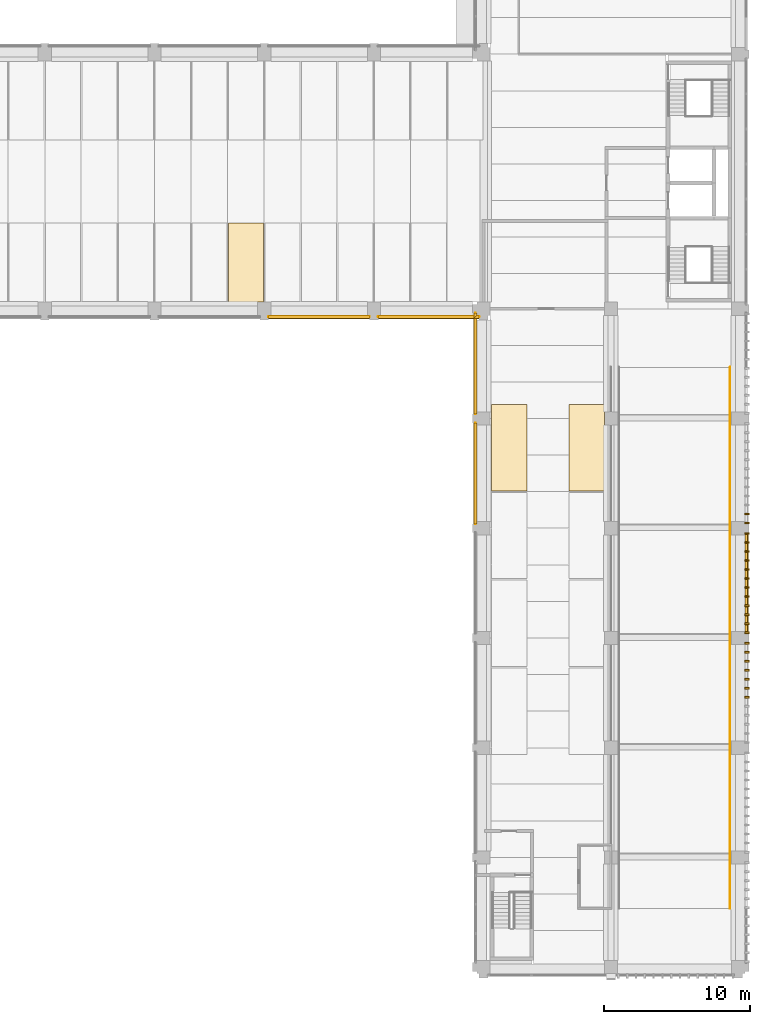
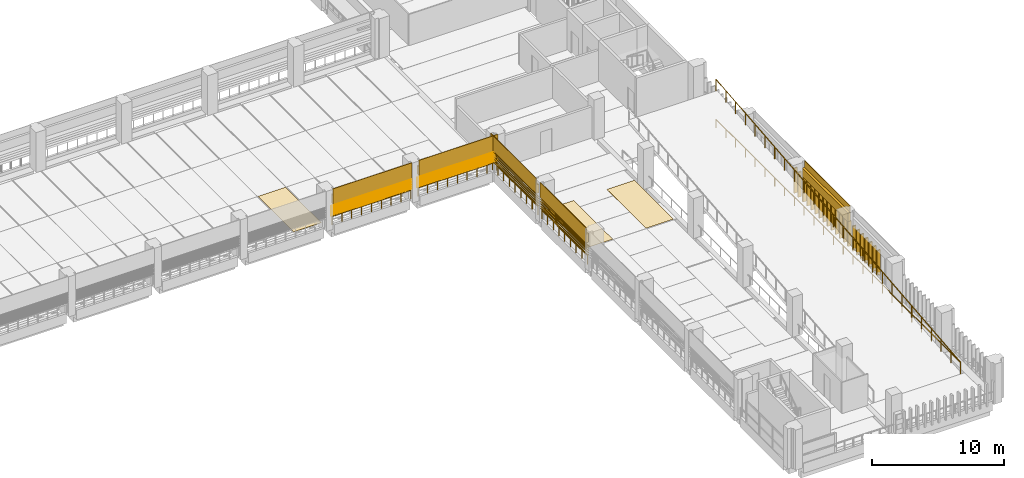
# One storey, part 49 of 57: 29 coverings, 20 shading devices, 6 railings.
"""IFC4 building model written with IfcOpenShell, lengths in metres."""

from ifc_helpers import new_model, si_unit, direction, frame, origin, origin_2d, place, context, subcontext, project, spatial, polyline, circle, outline, extrude, material, layer, layer_set, type_object, element, save


model = new_model("IFC4")

# Units and contexts
model_context = context("Model", 3, precision=1e-05, world=origin(), true_north=direction((0.0, 1.0)))
body_context = subcontext(model_context, "Body", "Model", "MODEL_VIEW")
ifc_project = project(units=[si_unit("LENGTHUNIT", "METRE"), si_unit("AREAUNIT", "SQUARE_METRE"), si_unit("VOLUMEUNIT", "CUBIC_METRE"), si_unit("PLANEANGLEUNIT", "RADIAN"), si_unit("MASSUNIT", "GRAM", prefix="KILO")], contexts=[model_context])

# Site, building, storey
site_placement = place(None, origin())
site = spatial("IfcSite", under=ifc_project, at=site_placement, CompositionType="ELEMENT")
building_placement = place(site_placement, origin())
building = spatial("IfcBuilding", under=site, at=building_placement, Name="Cour d'Honneur Mobility Palace", CompositionType="ELEMENT")
storey_placement = place(building_placement, frame((0.0, 0.0, 8.199951171875)))
storey = spatial("IfcBuildingStorey", under=building, at=storey_placement, Name="L02", CompositionType="ELEMENT", Elevation=8.199951171875)

# Railings
ifc_material_1 = material(Name="Painted steel", Category="steel")
railing_type_1 = type_object("IfcRailingType", Name="Balustrade", PredefinedType="BALUSTRADE", material=ifc_material_1)
for number, where, name in (
    (1, (130.199951171875, 44.449951171875, 0.300048828125), "Balustrade BAL-86"),
    (2, (137.699951171875, 44.449951171875, 0.300048828125), "Balustrade BAL-87"),
):
    element("IfcRailing", number, at=place(storey_placement, frame(where)), inside=storey, type_object=railing_type_1, Name=name, PredefinedType="BALUSTRADE", context=body_context, shape_type="SweptSolid", body=[
        extrude(circle(Radius=0.02392578125, at=origin_2d()), frame((0.0, 0.0, 0.77587890625), z_axis=(1.0, 0.0, 0.0), x_axis=(0.0, 1.0, 0.0)), (0.0, 0.0, 1.0), 6.900146484375),
        extrude(circle(Radius=0.02099609375, at=origin_2d()), origin(), (0.0, 0.0, 1.0), 0.751953125),
        extrude(circle(Radius=0.02099609375, at=origin_2d()), frame((0.862548828125, 0.0, 0.0)), (0.0, 0.0, 1.0), 0.751953125),
        extrude(circle(Radius=0.02099609375, at=origin_2d()), frame((1.72509765625, 0.0, 0.0)), (0.0, 0.0, 1.0), 0.751953125),
        extrude(circle(Radius=0.02099609375, at=origin_2d()), frame((2.587646484375, 0.0, 0.0)), (0.0, 0.0, 1.0), 0.751953125),
        extrude(circle(Radius=0.02099609375, at=origin_2d()), frame((3.4501953125, 0.0, 0.0)), (0.0, 0.0, 1.0), 0.751953125),
        extrude(circle(Radius=0.02099609375, at=origin_2d()), frame((4.3125, 0.0, 0.0)), (0.0, 0.0, 1.0), 0.751953125),
        extrude(circle(Radius=0.02099609375, at=origin_2d()), frame((5.175048828125, 0.0, 0.0)), (0.0, 0.0, 1.0), 0.751953125),
        extrude(circle(Radius=0.02099609375, at=origin_2d()), frame((6.03759765625, 0.0, 0.0)), (0.0, 0.0, 1.0), 0.751953125),
        extrude(circle(Radius=0.02099609375, at=origin_2d()), frame((6.900146484375, 0.0, 0.0)), (0.0, 0.0, 1.0), 0.751953125),
    ])
for number, where, name in (
    (3, (144.35009765625, 44.699951171875, 0.300048828125), "Balustrade BAL-88"),
    (4, (144.35009765625, 37.199951171875, 0.300048828125), "Balustrade BAL-89"),
):
    element("IfcRailing", number, at=place(storey_placement, frame(where)), inside=storey, type_object=railing_type_1, Name=name, PredefinedType="BALUSTRADE", context=body_context, shape_type="SweptSolid", body=[
        extrude(circle(Radius=0.02392578125, at=origin_2d()), frame((0.0, 0.0, 0.77587890625), z_axis=(0.0, -1.0, 0.0), x_axis=(1.0, 0.0, 0.0)), (0.0, 0.0, 1.0), 6.89990234375),
        extrude(circle(Radius=0.02099609375, at=origin_2d()), origin(), (0.0, 0.0, 1.0), 0.751953125),
        extrude(circle(Radius=0.02099609375, at=origin_2d()), frame((0.0, -0.862548828125, 0.0)), (0.0, 0.0, 1.0), 0.751953125),
        extrude(circle(Radius=0.02099609375, at=origin_2d()), frame((0.0, -1.72509765625, 0.0)), (0.0, 0.0, 1.0), 0.751953125),
        extrude(circle(Radius=0.02099609375, at=origin_2d()), frame((0.0, -2.58740234375, 0.0)), (0.0, 0.0, 1.0), 0.751953125),
        extrude(circle(Radius=0.02099609375, at=origin_2d()), frame((0.0, -3.449951171875, 0.0)), (0.0, 0.0, 1.0), 0.751953125),
        extrude(circle(Radius=0.02099609375, at=origin_2d()), frame((0.0, -4.3125, 0.0)), (0.0, 0.0, 1.0), 0.751953125),
        extrude(circle(Radius=0.02099609375, at=origin_2d()), frame((0.0, -5.1748046875, 0.0)), (0.0, 0.0, 1.0), 0.751953125),
        extrude(circle(Radius=0.02099609375, at=origin_2d()), frame((0.0, -6.037353515625, 0.0)), (0.0, 0.0, 1.0), 0.751953125),
        extrude(circle(Radius=0.02099609375, at=origin_2d()), frame((0.0, -6.89990234375, 0.0)), (0.0, 0.0, 1.0), 0.751953125),
    ])

# Coverings
ifc_material_2 = material(Name="Parking marking paint")
ifc_layer_1 = layer(ifc_material_2, 0.0048828125)
ifc_layer_set_1 = layer_set([ifc_layer_1], Name="Parking marking paint")
covering_type_1 = type_object("IfcCoveringType", Name="Parking bay marking", PredefinedType="FLOORING", material=ifc_layer_set_1)
covering_1_placement = place(storey_placement, origin())
element("IfcCovering", 5, at=covering_1_placement, inside=storey, type_object=covering_type_1, Name="Parking bay marking L02 67", PredefinedType="FLOORING", context=body_context, shape_type="SweptSolid", body=[
    extrude(outline(polyline([(129.85009765625, 45.449951171875), (127.449951171875, 45.449951171875), (127.449951171875, 50.85009765625), (129.85009765625, 50.85009765625), (129.85009765625, 45.449951171875)])), origin(), (0.0, 0.0, 1.0), 0.005126953125),
])
covering_2_placement = place(storey_placement, origin())
element("IfcCovering", 6, at=covering_2_placement, inside=storey, type_object=covering_type_1, Name="Parking bay marking L02 81", PredefinedType="FLOORING", context=body_context, shape_type="SweptSolid", body=[
    extrude(outline(polyline([(153.14990234375, 32.550048828125), (150.75, 32.550048828125), (150.75, 38.449951171875), (153.14990234375, 38.449951171875), (153.14990234375, 32.550048828125)])), origin(), (0.0, 0.0, 1.0), 0.005126953125),
])
covering_3_placement = place(storey_placement, origin())
element("IfcCovering", 7, at=covering_3_placement, inside=storey, type_object=covering_type_1, Name="Parking bay marking L02 85", PredefinedType="FLOORING", context=body_context, shape_type="SweptSolid", body=[
    extrude(outline(polyline([(147.85009765625, 32.550048828125), (145.449951171875, 32.550048828125), (145.449951171875, 38.449951171875), (147.85009765625, 38.449951171875), (147.85009765625, 32.550048828125)])), origin(), (0.0, 0.0, 1.0), 0.005126953125),
])

# Railing
ifc_material_3 = material(Name="Painted steel", Category="steel")
railing_type_2 = type_object("IfcRailingType", Name="Ramp guard 1100", PredefinedType="GUARDRAIL", material=ifc_material_3)
railing_1_placement = place(storey_placement, frame((161.75, 4.0, 0.0)))
element("IfcRailing", 8, at=railing_1_placement, inside=storey, type_object=railing_type_2, Name="Ramp guard Ramp East 3", PredefinedType="GUARDRAIL", context=body_context, shape_type="SweptSolid", body=[
    extrude(circle(Radius=0.02490234375, at=origin_2d()), frame((0.0, 0.0, 1.0751953125), z_axis=(0.0, 0.995037320222, 0.099502418892), x_axis=(-1.0, 0.0, 0.0)), (0.0, 0.0, 1.0), 37.1845703125),
    extrude(circle(Radius=0.02099609375, at=origin_2d()), origin(), (0.0, 0.0, 1.0), 1.050048828125),
    extrude(circle(Radius=0.02099609375, at=origin_2d()), frame((0.0, 1.47998046875, 0.14794921875)), (0.0, 0.0, 1.0), 1.050048828125),
    extrude(circle(Radius=0.02099609375, at=origin_2d()), frame((0.0, 2.9599609375, 0.2958984375)), (0.0, 0.0, 1.0), 1.050048828125),
    extrude(circle(Radius=0.02099609375, at=origin_2d()), frame((0.0, 4.43994140625, 0.444091796875)), (0.0, 0.0, 1.0), 1.050048828125),
    extrude(circle(Radius=0.02099609375, at=origin_2d()), frame((0.0, 5.919921875, 0.592041015625)), (0.0, 0.0, 1.0), 1.050048828125),
    extrude(circle(Radius=0.02099609375, at=origin_2d()), frame((0.0, 7.39990234375, 0.739990234375)), (0.0, 0.0, 1.0), 1.050048828125),
    extrude(circle(Radius=0.02099609375, at=origin_2d()), frame((0.0, 8.8798828125, 0.887939453125)), (0.0, 0.0, 1.0), 1.050048828125),
    extrude(circle(Radius=0.02099609375, at=origin_2d()), frame((0.0, 10.360107421875, 1.035888671875)), (0.0, 0.0, 1.0), 1.050048828125),
    extrude(circle(Radius=0.02099609375, at=origin_2d()), frame((0.0, 11.840087890625, 1.18408203125)), (0.0, 0.0, 1.0), 1.050048828125),
    extrude(circle(Radius=0.02099609375, at=origin_2d()), frame((0.0, 13.320068359375, 1.33203125)), (0.0, 0.0, 1.0), 1.050048828125),
    extrude(circle(Radius=0.02099609375, at=origin_2d()), frame((0.0, 14.800048828125, 1.47998046875)), (0.0, 0.0, 1.0), 1.050048828125),
    extrude(circle(Radius=0.02099609375, at=origin_2d()), frame((0.0, 16.280029296875, 1.6279296875)), (0.0, 0.0, 1.0), 1.050048828125),
    extrude(circle(Radius=0.02099609375, at=origin_2d()), frame((0.0, 17.760009765625, 1.77587890625)), (0.0, 0.0, 1.0), 1.050048828125),
    extrude(circle(Radius=0.02099609375, at=origin_2d()), frame((0.0, 19.239990234375, 1.924072265625)), (0.0, 0.0, 1.0), 1.050048828125),
    extrude(circle(Radius=0.02099609375, at=origin_2d()), frame((0.0, 20.719970703125, 2.072021484375)), (0.0, 0.0, 1.0), 1.050048828125),
    extrude(circle(Radius=0.02099609375, at=origin_2d()), frame((0.0, 22.199951171875, 2.219970703125)), (0.0, 0.0, 1.0), 1.050048828125),
    extrude(circle(Radius=0.02099609375, at=origin_2d()), frame((0.0, 23.679931640625, 2.367919921875)), (0.0, 0.0, 1.0), 1.050048828125),
    extrude(circle(Radius=0.02099609375, at=origin_2d()), frame((0.0, 25.159912109375, 2.515869140625)), (0.0, 0.0, 1.0), 1.050048828125),
    extrude(circle(Radius=0.02099609375, at=origin_2d()), frame((0.0, 26.639892578125, 2.6640625)), (0.0, 0.0, 1.0), 1.050048828125),
    extrude(circle(Radius=0.02099609375, at=origin_2d()), frame((0.0, 28.1201171875, 2.81201171875)), (0.0, 0.0, 1.0), 1.050048828125),
    extrude(circle(Radius=0.02099609375, at=origin_2d()), frame((0.0, 29.60009765625, 2.9599609375)), (0.0, 0.0, 1.0), 1.050048828125),
    extrude(circle(Radius=0.02099609375, at=origin_2d()), frame((0.0, 31.080078125, 3.10791015625)), (0.0, 0.0, 1.0), 1.050048828125),
    extrude(circle(Radius=0.02099609375, at=origin_2d()), frame((0.0, 32.56005859375, 3.255859375)), (0.0, 0.0, 1.0), 1.050048828125),
    extrude(circle(Radius=0.02099609375, at=origin_2d()), frame((0.0, 34.0400390625, 3.404052734375)), (0.0, 0.0, 1.0), 1.050048828125),
    extrude(circle(Radius=0.02099609375, at=origin_2d()), frame((0.0, 35.52001953125, 3.552001953125)), (0.0, 0.0, 1.0), 1.050048828125),
    extrude(circle(Radius=0.02099609375, at=origin_2d()), frame((0.0, 37.0, 3.699951171875)), (0.0, 0.0, 1.0), 1.050048828125),
])

# Coverings
ifc_material_4 = material(Name="Cast limestone", Category="masonry")
ifc_layer_2 = layer(ifc_material_4, 0.1201171875)
ifc_layer_set_2 = layer_set([ifc_layer_2], Name="Cast limestone")
covering_type_2 = type_object("IfcCoveringType", Name="Ramp screen fin", PredefinedType="CLADDING", material=ifc_layer_set_2)
covering_4_placement = place(storey_placement, origin())
element("IfcCovering", 9, at=covering_4_placement, inside=storey, type_object=covering_type_2, Name="Ramp screen fin E5.2 L02 6", PredefinedType="CLADDING", context=body_context, shape_type="SweptSolid", body=[
    extrude(outline(polyline([(162.75, 18.3818359375), (162.75, 18.501708984375), (163.050048828125, 18.501708984375), (163.050048828125, 18.3818359375), (162.75, 18.3818359375)])), origin(), (0.0, 0.0, 1.0), 2.300048828125),
])
covering_5_placement = place(storey_placement, origin())
element("IfcCovering", 10, at=covering_5_placement, inside=storey, type_object=covering_type_2, Name="Ramp screen fin E5.2 L02 7", PredefinedType="CLADDING", context=body_context, shape_type="SweptSolid", body=[
    extrude(outline(polyline([(162.75, 18.998291015625), (162.75, 19.1181640625), (163.050048828125, 19.1181640625), (163.050048828125, 18.998291015625), (162.75, 18.998291015625)])), origin(), (0.0, 0.0, 1.0), 2.300048828125),
])
covering_6_placement = place(storey_placement, origin())
element("IfcCovering", 11, at=covering_6_placement, inside=storey, type_object=covering_type_2, Name="Ramp screen fin E5.2 L02 8", PredefinedType="CLADDING", context=body_context, shape_type="SweptSolid", body=[
    extrude(outline(polyline([(162.75, 19.614501953125), (162.75, 19.734619140625), (163.050048828125, 19.734619140625), (163.050048828125, 19.614501953125), (162.75, 19.614501953125)])), origin(), (0.0, 0.0, 1.0), 2.300048828125),
])
covering_7_placement = place(storey_placement, origin())
element("IfcCovering", 12, at=covering_7_placement, inside=storey, type_object=covering_type_2, Name="Ramp screen fin E5.2 L02 9", PredefinedType="CLADDING", context=body_context, shape_type="SweptSolid", body=[
    extrude(outline(polyline([(162.75, 20.23095703125), (162.75, 20.350830078125), (163.050048828125, 20.350830078125), (163.050048828125, 20.23095703125), (162.75, 20.23095703125)])), origin(), (0.0, 0.0, 1.0), 2.300048828125),
])
covering_8_placement = place(storey_placement, origin())
element("IfcCovering", 13, at=covering_8_placement, inside=storey, type_object=covering_type_2, Name="Ramp screen fin E5.2 L02 10", PredefinedType="CLADDING", context=body_context, shape_type="SweptSolid", body=[
    extrude(outline(polyline([(162.75, 20.84716796875), (162.75, 20.96728515625), (163.050048828125, 20.96728515625), (163.050048828125, 20.84716796875), (162.75, 20.84716796875)])), origin(), (0.0, 0.0, 1.0), 2.300048828125),
])
covering_9_placement = place(storey_placement, origin())
element("IfcCovering", 14, at=covering_9_placement, inside=storey, type_object=covering_type_2, Name="Ramp screen fin E5.2 L02 11", PredefinedType="CLADDING", context=body_context, shape_type="SweptSolid", body=[
    extrude(outline(polyline([(162.75, 21.463623046875), (162.75, 21.583740234375), (163.050048828125, 21.583740234375), (163.050048828125, 21.463623046875), (162.75, 21.463623046875)])), origin(), (0.0, 0.0, 1.0), 2.300048828125),
])
covering_10_placement = place(storey_placement, origin())
element("IfcCovering", 15, at=covering_10_placement, inside=storey, type_object=covering_type_2, Name="Ramp screen fin E5.2 L02 12", PredefinedType="CLADDING", context=body_context, shape_type="SweptSolid", body=[
    extrude(outline(polyline([(162.75, 22.080078125), (162.75, 22.199951171875), (163.050048828125, 22.199951171875), (163.050048828125, 22.080078125), (162.75, 22.080078125)])), origin(), (0.0, 0.0, 1.0), 2.300048828125),
])
covering_11_placement = place(storey_placement, origin())
element("IfcCovering", 16, at=covering_11_placement, inside=storey, type_object=covering_type_2, Name="Ramp screen fin E5.3 L02 1", PredefinedType="CLADDING", context=body_context, shape_type="SweptSolid", body=[
    extrude(outline(polyline([(162.75, 22.800048828125), (162.75, 22.919921875), (163.050048828125, 22.919921875), (163.050048828125, 22.800048828125), (162.75, 22.800048828125)])), origin(), (0.0, 0.0, 1.0), 2.300048828125),
])
covering_12_placement = place(storey_placement, origin())
element("IfcCovering", 17, at=covering_12_placement, inside=storey, type_object=covering_type_2, Name="Ramp screen fin E5.3 L02 2", PredefinedType="CLADDING", context=body_context, shape_type="SweptSolid", body=[
    extrude(outline(polyline([(162.75, 23.416259765625), (162.75, 23.536376953125), (163.050048828125, 23.536376953125), (163.050048828125, 23.416259765625), (162.75, 23.416259765625)])), origin(), (0.0, 0.0, 1.0), 2.300048828125),
])
covering_13_placement = place(storey_placement, origin())
element("IfcCovering", 18, at=covering_13_placement, inside=storey, type_object=covering_type_2, Name="Ramp screen fin E5.3 L02 3", PredefinedType="CLADDING", context=body_context, shape_type="SweptSolid", body=[
    extrude(outline(polyline([(162.75, 24.03271484375), (162.75, 24.15283203125), (163.050048828125, 24.15283203125), (163.050048828125, 24.03271484375), (162.75, 24.03271484375)])), origin(), (0.0, 0.0, 1.0), 2.300048828125),
])
covering_14_placement = place(storey_placement, origin())
element("IfcCovering", 19, at=covering_14_placement, inside=storey, type_object=covering_type_2, Name="Ramp screen fin E5.3 L02 4", PredefinedType="CLADDING", context=body_context, shape_type="SweptSolid", body=[
    extrude(outline(polyline([(162.75, 24.649169921875), (162.75, 24.76904296875), (163.050048828125, 24.76904296875), (163.050048828125, 24.649169921875), (162.75, 24.649169921875)])), origin(), (0.0, 0.0, 1.0), 2.300048828125),
])
covering_15_placement = place(storey_placement, origin())
element("IfcCovering", 20, at=covering_15_placement, inside=storey, type_object=covering_type_2, Name="Ramp screen fin E5.3 L02 5", PredefinedType="CLADDING", context=body_context, shape_type="SweptSolid", body=[
    extrude(outline(polyline([(162.75, 25.265380859375), (162.75, 25.385498046875), (163.050048828125, 25.385498046875), (163.050048828125, 25.265380859375), (162.75, 25.265380859375)])), origin(), (0.0, 0.0, 1.0), 2.300048828125),
])
covering_16_placement = place(storey_placement, origin())
element("IfcCovering", 21, at=covering_16_placement, inside=storey, type_object=covering_type_2, Name="Ramp screen fin E5.3 L02 6", PredefinedType="CLADDING", context=body_context, shape_type="SweptSolid", body=[
    extrude(outline(polyline([(162.75, 25.8818359375), (162.75, 26.001708984375), (163.050048828125, 26.001708984375), (163.050048828125, 25.8818359375), (162.75, 25.8818359375)])), origin(), (0.0, 0.0, 1.0), 2.300048828125),
])
covering_17_placement = place(storey_placement, origin())
element("IfcCovering", 22, at=covering_17_placement, inside=storey, type_object=covering_type_2, Name="Ramp screen fin E5.3 L02 7", PredefinedType="CLADDING", context=body_context, shape_type="SweptSolid", body=[
    extrude(outline(polyline([(162.75, 26.498291015625), (162.75, 26.6181640625), (163.050048828125, 26.6181640625), (163.050048828125, 26.498291015625), (162.75, 26.498291015625)])), origin(), (0.0, 0.0, 1.0), 2.300048828125),
])
covering_18_placement = place(storey_placement, origin())
element("IfcCovering", 23, at=covering_18_placement, inside=storey, type_object=covering_type_2, Name="Ramp screen fin E5.3 L02 8", PredefinedType="CLADDING", context=body_context, shape_type="SweptSolid", body=[
    extrude(outline(polyline([(162.75, 27.114501953125), (162.75, 27.234619140625), (163.050048828125, 27.234619140625), (163.050048828125, 27.114501953125), (162.75, 27.114501953125)])), origin(), (0.0, 0.0, 1.0), 2.300048828125),
])
covering_19_placement = place(storey_placement, origin())
element("IfcCovering", 24, at=covering_19_placement, inside=storey, type_object=covering_type_2, Name="Ramp screen fin E5.3 L02 9", PredefinedType="CLADDING", context=body_context, shape_type="SweptSolid", body=[
    extrude(outline(polyline([(162.75, 27.73095703125), (162.75, 27.850830078125), (163.050048828125, 27.850830078125), (163.050048828125, 27.73095703125), (162.75, 27.73095703125)])), origin(), (0.0, 0.0, 1.0), 2.300048828125),
])
covering_20_placement = place(storey_placement, origin())
element("IfcCovering", 25, at=covering_20_placement, inside=storey, type_object=covering_type_2, Name="Ramp screen fin E5.3 L02 10", PredefinedType="CLADDING", context=body_context, shape_type="SweptSolid", body=[
    extrude(outline(polyline([(162.75, 28.34716796875), (162.75, 28.46728515625), (163.050048828125, 28.46728515625), (163.050048828125, 28.34716796875), (162.75, 28.34716796875)])), origin(), (0.0, 0.0, 1.0), 2.300048828125),
])
covering_21_placement = place(storey_placement, origin())
element("IfcCovering", 26, at=covering_21_placement, inside=storey, type_object=covering_type_2, Name="Ramp screen fin E5.3 L02 11", PredefinedType="CLADDING", context=body_context, shape_type="SweptSolid", body=[
    extrude(outline(polyline([(162.75, 28.963623046875), (162.75, 29.083740234375), (163.050048828125, 29.083740234375), (163.050048828125, 28.963623046875), (162.75, 28.963623046875)])), origin(), (0.0, 0.0, 1.0), 2.300048828125),
])
covering_22_placement = place(storey_placement, origin())
element("IfcCovering", 27, at=covering_22_placement, inside=storey, type_object=covering_type_2, Name="Ramp screen fin E5.3 L02 12", PredefinedType="CLADDING", context=body_context, shape_type="SweptSolid", body=[
    extrude(outline(polyline([(162.75, 29.580078125), (162.75, 29.699951171875), (163.050048828125, 29.699951171875), (163.050048828125, 29.580078125), (162.75, 29.580078125)])), origin(), (0.0, 0.0, 1.0), 2.300048828125),
])
covering_23_placement = place(storey_placement, origin())
element("IfcCovering", 28, at=covering_23_placement, inside=storey, type_object=covering_type_2, Name="Ramp screen fin E5.4 L02 1", PredefinedType="CLADDING", context=body_context, shape_type="SweptSolid", body=[
    extrude(outline(polyline([(162.75, 30.300048828125), (162.75, 30.419921875), (163.050048828125, 30.419921875), (163.050048828125, 30.300048828125), (162.75, 30.300048828125)])), origin(), (0.0, 0.0, 1.0), 2.300048828125),
])
covering_24_placement = place(storey_placement, origin())
element("IfcCovering", 29, at=covering_24_placement, inside=storey, type_object=covering_type_2, Name="Ramp screen fin E5.4 L02 2", PredefinedType="CLADDING", context=body_context, shape_type="SweptSolid", body=[
    extrude(outline(polyline([(162.75, 30.916259765625), (162.75, 31.036376953125), (163.050048828125, 31.036376953125), (163.050048828125, 30.916259765625), (162.75, 30.916259765625)])), origin(), (0.0, 0.0, 1.0), 2.300048828125),
])
ifc_material_5 = material(Name="Cast limestone", Category="masonry")
ifc_layer_3 = layer(ifc_material_5, 0.25)
ifc_layer_set_3 = layer_set([ifc_layer_3], Name="Cast limestone")
covering_type_3 = type_object("IfcCoveringType", Name="Spandrel cladding", PredefinedType="CLADDING", material=ifc_layer_set_3)
for number, where, z_axis, x_axis, name in (
    (30, (130.199951171875, 44.550048828125, 2.300048828125), (-1.0, 0.0, 0.0), (0.0, -1.0, 0.0), "Spandrel cladding SK-154"),
    (31, (137.699951171875, 44.550048828125, 2.300048828125), (-1.0, 0.0, 0.0), (0.0, -1.0, 0.0), "Spandrel cladding SK-155"),
    (32, (144.449951171875, 44.699951171875, 2.300048828125), (0.0, 1.0, 0.0), (-1.0, 0.0, 0.0), "Spandrel cladding SK-156"),
    (33, (144.449951171875, 37.199951171875, 2.300048828125), (0.0, 1.0, 0.0), (-1.0, 0.0, 0.0), "Spandrel cladding SK-157"),
    (34, (162.75, 22.800048828125, 2.300048828125), (0.0, -1.0, 0.0), (1.0, 0.0, 0.0), "Spandrel cladding SK-162"),
):
    element("IfcCovering", number, at=place(storey_placement, frame(where, z_axis=z_axis, x_axis=x_axis)), inside=storey, type_object=covering_type_3, Name=name, PredefinedType="CLADDING", context=body_context, shape_type="SweptSolid", body=[
        extrude(outline(polyline([(0.0, 0.0), (0.25, 0.0), (0.25, 1.39990234375), (0.199951171875, 1.39990234375), (0.199951171875, 0.800048828125), (0.0, 0.800048828125), (0.0, 0.0)])), origin(), (0.0, 0.0, -1.0), 6.89990234375),
    ])

# Shading devices
ifc_material_6 = material(Name="Terracotta", Category="masonry")
ifc_layer_4 = layer(ifc_material_6, 0.02490234375)
ifc_layer_set_4 = layer_set([ifc_layer_4], Name="Terracotta")
shading_device_type = type_object("IfcShadingDeviceType", Name="Terracotta louvre blade", PredefinedType="JALOUSIE", material=ifc_layer_set_4)
for number, where, z_axis, x_axis, name in (
    (35, (144.4560546875, 44.699951171875, 1.10009765625), (0.707106781187, 0.0, 0.707106781187), (0.0, -1.0, 0.0), "Louvre blade LV-1 W3.0 L02 1"),
    (36, (144.4560546875, 44.699951171875, 1.312255859375), (0.707106781187, 0.0, 0.707106781187), (0.0, -1.0, 0.0), "Louvre blade LV-1 W3.0 L02 2"),
):
    element("IfcShadingDevice", number, at=place(storey_placement, frame(where, z_axis=z_axis, x_axis=x_axis)), inside=storey, type_object=shading_device_type, Name=name, PredefinedType="JALOUSIE", context=body_context, shape_type="SweptSolid", body=[
        extrude(outline(polyline([(0.0, 0.0), (6.89990234375, 0.0), (6.89990234375, -0.300037008228081), (0.0, -0.300037008228081), (0.0, 0.0)])), origin(), (0.0, 0.0, -1.0), 0.02490234375),
    ])
shading_device_1_placement = place(storey_placement, frame((144.4560546875, 44.699951171875, 1.5244140625), z_axis=(0.706699578995, 0.0, 0.707513749017), x_axis=(0.0, -1.0, 0.0)))
element("IfcShadingDevice", 37, at=shading_device_1_placement, inside=storey, type_object=shading_device_type, Name="Louvre blade LV-1 W3.0 L02 3", PredefinedType="JALOUSIE", context=body_context, shape_type="SweptSolid", body=[
    extrude(outline(polyline([(0.0, 0.0), (6.89990234375, 0.0), (6.89990234375, -0.29986442442957895), (0.0, -0.29986442442957895), (0.0, 0.0)])), origin(), (0.0, 0.0, -1.0), 0.02490234375),
])
for number, where, z_axis, x_axis, name in (
    (38, (144.4560546875, 44.699951171875, 1.736328125), (0.707106781187, 0.0, 0.707106781187), (0.0, -1.0, 0.0), "Louvre blade LV-1 W3.0 L02 4"),
    (39, (144.4560546875, 44.699951171875, 1.948486328125), (0.707106781187, 0.0, 0.707106781187), (0.0, -1.0, 0.0), "Louvre blade LV-1 W3.0 L02 5"),
    (40, (144.4560546875, 37.199951171875, 1.10009765625), (0.707106781187, 0.0, 0.707106781187), (0.0, -1.0, 0.0), "Louvre blade LV-1 W3.1 L02 1"),
    (41, (144.4560546875, 37.199951171875, 1.312255859375), (0.707106781187, 0.0, 0.707106781187), (0.0, -1.0, 0.0), "Louvre blade LV-1 W3.1 L02 2"),
):
    element("IfcShadingDevice", number, at=place(storey_placement, frame(where, z_axis=z_axis, x_axis=x_axis)), inside=storey, type_object=shading_device_type, Name=name, PredefinedType="JALOUSIE", context=body_context, shape_type="SweptSolid", body=[
        extrude(outline(polyline([(0.0, 0.0), (6.89990234375, 0.0), (6.89990234375, -0.300037008228081), (0.0, -0.300037008228081), (0.0, 0.0)])), origin(), (0.0, 0.0, -1.0), 0.02490234375),
    ])
shading_device_2_placement = place(storey_placement, frame((144.4560546875, 37.199951171875, 1.5244140625), z_axis=(0.706699578995, 0.0, 0.707513749017), x_axis=(0.0, -1.0, 0.0)))
element("IfcShadingDevice", 42, at=shading_device_2_placement, inside=storey, type_object=shading_device_type, Name="Louvre blade LV-1 W3.1 L02 3", PredefinedType="JALOUSIE", context=body_context, shape_type="SweptSolid", body=[
    extrude(outline(polyline([(0.0, 0.0), (6.89990234375, 0.0), (6.89990234375, -0.29986442442957895), (0.0, -0.29986442442957895), (0.0, 0.0)])), origin(), (0.0, 0.0, -1.0), 0.02490234375),
])
for number, where, z_axis, x_axis, name in (
    (43, (144.4560546875, 37.199951171875, 1.736328125), (0.707106781187, 0.0, 0.707106781187), (0.0, -1.0, 0.0), "Louvre blade LV-1 W3.1 L02 4"),
    (44, (144.4560546875, 37.199951171875, 1.948486328125), (0.707106781187, 0.0, 0.707106781187), (0.0, -1.0, 0.0), "Louvre blade LV-1 W3.1 L02 5"),
):
    element("IfcShadingDevice", number, at=place(storey_placement, frame(where, z_axis=z_axis, x_axis=x_axis)), inside=storey, type_object=shading_device_type, Name=name, PredefinedType="JALOUSIE", context=body_context, shape_type="SweptSolid", body=[
        extrude(outline(polyline([(0.0, 0.0), (6.89990234375, 0.0), (6.89990234375, -0.300037008228081), (0.0, -0.300037008228081), (0.0, 0.0)])), origin(), (0.0, 0.0, -1.0), 0.02490234375),
    ])
for number, where, z_axis, x_axis, name in (
    (45, (130.199951171875, 44.55615234375, 1.10009765625), (0.0, 0.707106781187, 0.707106781187), (1.0, 0.0, 0.0), "Louvre blade LV-1 S2.15 L02 1"),
    (46, (130.199951171875, 44.55615234375, 1.312255859375), (0.0, 0.707106781187, 0.707106781187), (1.0, 0.0, 0.0), "Louvre blade LV-1 S2.15 L02 2"),
):
    element("IfcShadingDevice", number, at=place(storey_placement, frame(where, z_axis=z_axis, x_axis=x_axis)), inside=storey, type_object=shading_device_type, Name=name, PredefinedType="JALOUSIE", context=body_context, shape_type="SweptSolid", body=[
        extrude(outline(polyline([(0.0, 0.0), (6.900146484375, 0.0), (6.900146484375, -0.300037008228081), (0.0, -0.300037008228081), (0.0, 0.0)])), origin(), (0.0, 0.0, -1.0), 0.02490234375),
    ])
shading_device_3_placement = place(storey_placement, frame((130.199951171875, 44.55615234375, 1.5244140625), z_axis=(0.0, 0.706699578995, 0.707513749017), x_axis=(1.0, 0.0, 0.0)))
element("IfcShadingDevice", 47, at=shading_device_3_placement, inside=storey, type_object=shading_device_type, Name="Louvre blade LV-1 S2.15 L02 3", PredefinedType="JALOUSIE", context=body_context, shape_type="SweptSolid", body=[
    extrude(outline(polyline([(0.0, 0.0), (6.900146484375, 0.0), (6.900146484375, -0.29986442442957895), (0.0, -0.29986442442957895), (0.0, 0.0)])), origin(), (0.0, 0.0, -1.0), 0.02490234375),
])
for number, where, z_axis, x_axis, name in (
    (48, (130.199951171875, 44.55615234375, 1.736328125), (0.0, 0.707106781187, 0.707106781187), (1.0, 0.0, 0.0), "Louvre blade LV-1 S2.15 L02 4"),
    (49, (130.199951171875, 44.55615234375, 1.948486328125), (0.0, 0.707106781187, 0.707106781187), (1.0, 0.0, 0.0), "Louvre blade LV-1 S2.15 L02 5"),
    (50, (137.699951171875, 44.55615234375, 1.10009765625), (0.0, 0.707106781187, 0.707106781187), (1.0, 0.0, 0.0), "Louvre blade LV-1 S2.16 L02 1"),
    (51, (137.699951171875, 44.55615234375, 1.312255859375), (0.0, 0.707106781187, 0.707106781187), (1.0, 0.0, 0.0), "Louvre blade LV-1 S2.16 L02 2"),
):
    element("IfcShadingDevice", number, at=place(storey_placement, frame(where, z_axis=z_axis, x_axis=x_axis)), inside=storey, type_object=shading_device_type, Name=name, PredefinedType="JALOUSIE", context=body_context, shape_type="SweptSolid", body=[
        extrude(outline(polyline([(0.0, 0.0), (6.900146484375, 0.0), (6.900146484375, -0.300037008228081), (0.0, -0.300037008228081), (0.0, 0.0)])), origin(), (0.0, 0.0, -1.0), 0.02490234375),
    ])
shading_device_4_placement = place(storey_placement, frame((137.699951171875, 44.55615234375, 1.5244140625), z_axis=(0.0, 0.706699578995, 0.707513749017), x_axis=(1.0, 0.0, 0.0)))
element("IfcShadingDevice", 52, at=shading_device_4_placement, inside=storey, type_object=shading_device_type, Name="Louvre blade LV-1 S2.16 L02 3", PredefinedType="JALOUSIE", context=body_context, shape_type="SweptSolid", body=[
    extrude(outline(polyline([(0.0, 0.0), (6.900146484375, 0.0), (6.900146484375, -0.29986442442957895), (0.0, -0.29986442442957895), (0.0, 0.0)])), origin(), (0.0, 0.0, -1.0), 0.02490234375),
])
for number, where, z_axis, x_axis, name in (
    (53, (137.699951171875, 44.55615234375, 1.736328125), (0.0, 0.707106781187, 0.707106781187), (1.0, 0.0, 0.0), "Louvre blade LV-1 S2.16 L02 4"),
    (54, (137.699951171875, 44.55615234375, 1.948486328125), (0.0, 0.707106781187, 0.707106781187), (1.0, 0.0, 0.0), "Louvre blade LV-1 S2.16 L02 5"),
):
    element("IfcShadingDevice", number, at=place(storey_placement, frame(where, z_axis=z_axis, x_axis=x_axis)), inside=storey, type_object=shading_device_type, Name=name, PredefinedType="JALOUSIE", context=body_context, shape_type="SweptSolid", body=[
        extrude(outline(polyline([(0.0, 0.0), (6.900146484375, 0.0), (6.900146484375, -0.300037008228081), (0.0, -0.300037008228081), (0.0, 0.0)])), origin(), (0.0, 0.0, -1.0), 0.02490234375),
    ])

# Railing
ifc_material_7 = material(Name="Painted steel", Category="steel")
railing_type_3 = type_object("IfcRailingType", Name="Void edge guard 1100", PredefinedType="GUARDRAIL", material=ifc_material_7)
railing_2_placement = place(storey_placement, frame((161.75, 4.0, 0.300048828125)))
element("IfcRailing", 55, at=railing_2_placement, inside=storey, type_object=railing_type_3, Name="Void edge guard SE L02", PredefinedType="GUARDRAIL", context=body_context, shape_type="SweptSolid", body=[
    extrude(circle(Radius=0.02490234375, at=origin_2d()), frame((0.0, 0.0, 0.77490234375), z_axis=(0.0, 1.0, 0.0), x_axis=(-1.0, 0.0, 0.0)), (0.0, 0.0, 1.0), 37.0),
    extrude(circle(Radius=0.02099609375, at=origin_2d()), origin(), (0.0, 0.0, 1.0), 0.75),
    extrude(circle(Radius=0.02099609375, at=origin_2d()), frame((0.0, 1.47998046875, 0.0)), (0.0, 0.0, 1.0), 0.75),
    extrude(circle(Radius=0.02099609375, at=origin_2d()), frame((0.0, 2.9599609375, 0.0)), (0.0, 0.0, 1.0), 0.75),
    extrude(circle(Radius=0.02099609375, at=origin_2d()), frame((0.0, 4.43994140625, 0.0)), (0.0, 0.0, 1.0), 0.75),
    extrude(circle(Radius=0.02099609375, at=origin_2d()), frame((0.0, 5.919921875, 0.0)), (0.0, 0.0, 1.0), 0.75),
    extrude(circle(Radius=0.02099609375, at=origin_2d()), frame((0.0, 7.39990234375, 0.0)), (0.0, 0.0, 1.0), 0.75),
    extrude(circle(Radius=0.02099609375, at=origin_2d()), frame((0.0, 8.8798828125, 0.0)), (0.0, 0.0, 1.0), 0.75),
    extrude(circle(Radius=0.02099609375, at=origin_2d()), frame((0.0, 10.360107421875, 0.0)), (0.0, 0.0, 1.0), 0.75),
    extrude(circle(Radius=0.02099609375, at=origin_2d()), frame((0.0, 11.840087890625, 0.0)), (0.0, 0.0, 1.0), 0.75),
    extrude(circle(Radius=0.02099609375, at=origin_2d()), frame((0.0, 13.320068359375, 0.0)), (0.0, 0.0, 1.0), 0.75),
    extrude(circle(Radius=0.02099609375, at=origin_2d()), frame((0.0, 14.800048828125, 0.0)), (0.0, 0.0, 1.0), 0.75),
    extrude(circle(Radius=0.02099609375, at=origin_2d()), frame((0.0, 16.280029296875, 0.0)), (0.0, 0.0, 1.0), 0.75),
    extrude(circle(Radius=0.02099609375, at=origin_2d()), frame((0.0, 17.760009765625, 0.0)), (0.0, 0.0, 1.0), 0.75),
    extrude(circle(Radius=0.02099609375, at=origin_2d()), frame((0.0, 19.239990234375, 0.0)), (0.0, 0.0, 1.0), 0.75),
    extrude(circle(Radius=0.02099609375, at=origin_2d()), frame((0.0, 20.719970703125, 0.0)), (0.0, 0.0, 1.0), 0.75),
    extrude(circle(Radius=0.02099609375, at=origin_2d()), frame((0.0, 22.199951171875, 0.0)), (0.0, 0.0, 1.0), 0.75),
    extrude(circle(Radius=0.02099609375, at=origin_2d()), frame((0.0, 23.679931640625, 0.0)), (0.0, 0.0, 1.0), 0.75),
    extrude(circle(Radius=0.02099609375, at=origin_2d()), frame((0.0, 25.159912109375, 0.0)), (0.0, 0.0, 1.0), 0.75),
    extrude(circle(Radius=0.02099609375, at=origin_2d()), frame((0.0, 26.639892578125, 0.0)), (0.0, 0.0, 1.0), 0.75),
    extrude(circle(Radius=0.02099609375, at=origin_2d()), frame((0.0, 28.1201171875, 0.0)), (0.0, 0.0, 1.0), 0.75),
    extrude(circle(Radius=0.02099609375, at=origin_2d()), frame((0.0, 29.60009765625, 0.0)), (0.0, 0.0, 1.0), 0.75),
    extrude(circle(Radius=0.02099609375, at=origin_2d()), frame((0.0, 31.080078125, 0.0)), (0.0, 0.0, 1.0), 0.75),
    extrude(circle(Radius=0.02099609375, at=origin_2d()), frame((0.0, 32.56005859375, 0.0)), (0.0, 0.0, 1.0), 0.75),
    extrude(circle(Radius=0.02099609375, at=origin_2d()), frame((0.0, 34.0400390625, 0.0)), (0.0, 0.0, 1.0), 0.75),
    extrude(circle(Radius=0.02099609375, at=origin_2d()), frame((0.0, 35.52001953125, 0.0)), (0.0, 0.0, 1.0), 0.75),
    extrude(circle(Radius=0.02099609375, at=origin_2d()), frame((0.0, 37.0, 0.0)), (0.0, 0.0, 1.0), 0.75),
])

save(model, "model.ifc")
